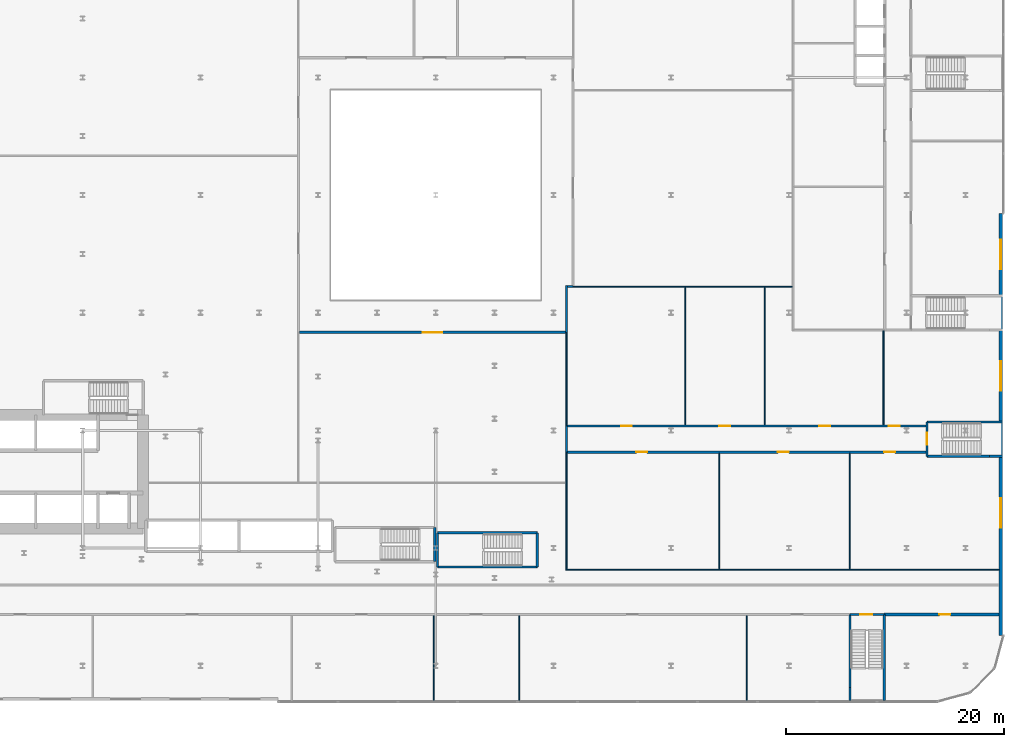
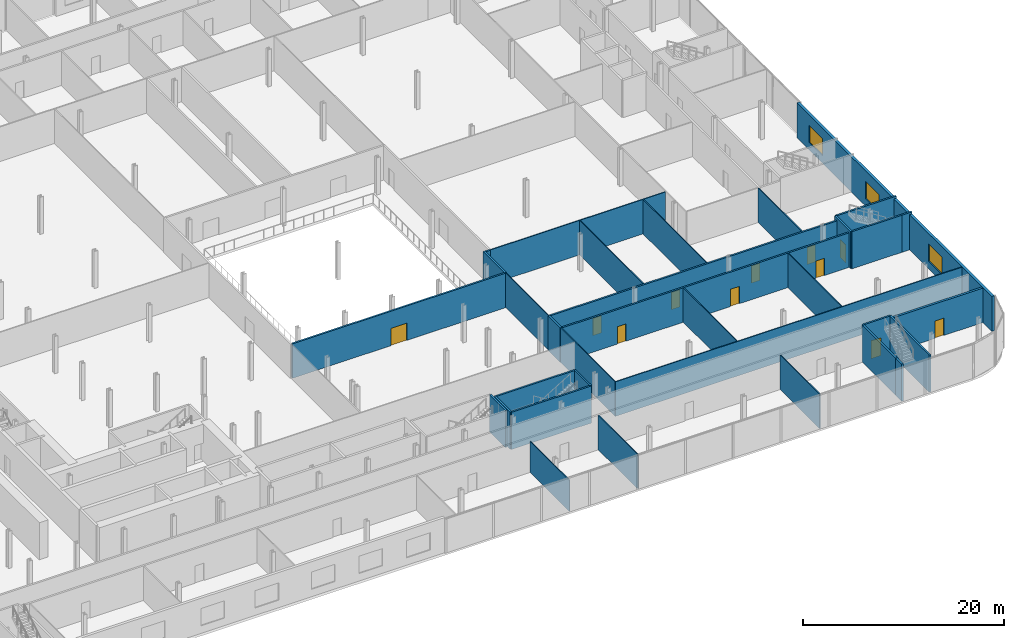
# One storey, part 32 of 47: 33 walls, 11 doors, 3 windows, 14 openings.
"""IFC4 building model written with IfcOpenShell, lengths in metres."""

import ifcopenshell
import ifcopenshell.guid

model = None  # the IFC model being written
_history = None  # IfcOwnerHistory: only IFC2X3 demands one
_inside = {}  # id of a spatial element -> (the spatial element, [elements in it])
_under = {}  # id of a project, library or spatial element -> (it, [spatial elements below it])
_declared = {}  # id of a project -> (the project, [libraries it declares])
_typed = {}  # id of a type object -> (the type object, [elements of that type])
_made_of = {}  # id of a material, layer set ... -> (it, [elements and type objects made of it])


def new_model(schema):
    """Start an empty IFC model of exactly this schema.

    Asked for "IFC4X3", IfcOpenShell would pick the latest addendum, in which some entities
    have other attributes; the version numbers below select the first issue.
    IFC2X3 requires an IfcOwnerHistory on every rooted entity: one is made here for all.
    """
    global model, _history
    if schema == "IFC4X3":
        model = ifcopenshell.file(schema_version=(4, 3, 0, 0))
    else:
        model = ifcopenshell.file(schema=schema)
    _inside.clear()
    _under.clear()
    _declared.clear()
    _typed.clear()
    _made_of.clear()
    _history = None
    if model.schema == "IFC2X3":
        org = make("IfcOrganization", Name="unknown")
        user = make(
            "IfcPersonAndOrganization",
            ThePerson=make("IfcPerson", FamilyName="unknown"),
            TheOrganization=org,
        )
        app = make(
            "IfcApplication",
            ApplicationDeveloper=org,
            Version="unknown",
            ApplicationFullName="unknown",
            ApplicationIdentifier="unknown",
        )
        _history = make(
            "IfcOwnerHistory",
            OwningUser=user,
            OwningApplication=app,
            ChangeAction="ADDED",
            CreationDate=0,
        )
    return model


def make(cls, **values):
    """One entity of the class cls with the attributes given. An attribute that is None is left unset."""
    return model.create_entity(
        cls, **{name: value for name, value in values.items() if value is not None}
    )


def rooted(cls, **values):
    """An entity with a GlobalId (a new one), such as an element, a storey or a relation."""
    return make(cls, GlobalId=ifcopenshell.guid.new(), OwnerHistory=_history, **values)


def si_unit(unit_type, name, prefix=None):
    """IfcSIUnit, for example si_unit("LENGTHUNIT", "METRE", prefix="MILLI")."""
    return make("IfcSIUnit", UnitType=unit_type, Prefix=prefix, Name=name)


def assignment(units):
    """IfcUnitAssignment: the units of a project."""
    return None if units is None else make("IfcUnitAssignment", Units=units)


def point(xyz):
    """IfcCartesianPoint."""
    return None if xyz is None else make("IfcCartesianPoint", Coordinates=xyz)


def direction(xyz):
    """IfcDirection."""
    return None if xyz is None else make("IfcDirection", DirectionRatios=xyz)


def frame(location, z_axis=None, x_axis=None):
    """IfcAxis2Placement3D, a coordinate frame: its origin and axes. An axis left out is left unset."""
    return make(
        "IfcAxis2Placement3D",
        Location=point(location),
        Axis=direction(z_axis),
        RefDirection=direction(x_axis),
    )


def frame_2d(location, x_axis=None):
    """IfcAxis2Placement2D, a coordinate frame in the plane: its origin and x axis."""
    return make(
        "IfcAxis2Placement2D", Location=point(location), RefDirection=direction(x_axis)
    )


def origin():
    """The frame at (0, 0, 0) with its axes left unset."""
    return frame((0.0, 0.0, 0.0))


def place(relative_to, where):
    """IfcLocalPlacement: puts the frame where relative to a parent placement (None: the world)."""
    return make(
        "IfcLocalPlacement", PlacementRelTo=relative_to, RelativePlacement=where
    )


def context(
    kind, dimensions, precision=None, world=None, true_north=None, identifier=None
):
    """IfcGeometricRepresentationContext, for example the 3D "Model" context."""
    return make(
        "IfcGeometricRepresentationContext",
        ContextIdentifier=identifier,
        ContextType=kind,
        CoordinateSpaceDimension=dimensions,
        Precision=precision,
        WorldCoordinateSystem=world,
        TrueNorth=true_north,
    )


def subcontext(parent, identifier, kind, view, scale=None):
    """IfcGeometricRepresentationSubContext, for example "Body" below "Model"."""
    return make(
        "IfcGeometricRepresentationSubContext",
        ContextIdentifier=identifier,
        ContextType=kind,
        ParentContext=parent,
        TargetScale=scale,
        TargetView=view,
    )


def project(units=None, contexts=None):
    """IfcProject with its units and contexts."""
    return rooted(
        "IfcProject",
        Name="project",
        RepresentationContexts=contexts,
        UnitsInContext=assignment(units),
    )


def spatial(cls, under=None, at=None, **own):
    """A site, building, storey or space (cls), placed at a placement, below another one or the project."""
    s = rooted(cls, ObjectPlacement=at, **own)
    if under is not None:
        _under.setdefault(under.id(), (under, []))[1].append(s)
    return s


def profile(cls, at=None, kind="AREA", **sizes):
    """A parametric profile (cls). Its sizes go by their IFC names, for example OverallWidth=200.0."""
    return make(cls, ProfileType=kind, Position=at, **sizes)


def rectangle(**sizes):
    """IfcRectangleProfileDef."""
    return profile("IfcRectangleProfileDef", **sizes)


def extrude(swept, where, along, depth):
    """IfcExtrudedAreaSolid: the profile swept, set in the frame where, extruded along a direction by depth."""
    return make(
        "IfcExtrudedAreaSolid",
        SweptArea=swept,
        Position=where,
        ExtrudedDirection=direction(along),
        Depth=depth,
    )


def shape(context_of_items, identifier, shape_type, items):
    """IfcShapeRepresentation: the items that make up one representation, for example the "Body"."""
    return make(
        "IfcShapeRepresentation",
        ContextOfItems=context_of_items,
        RepresentationIdentifier=identifier,
        RepresentationType=shape_type,
        Items=items,
    )


def source(mapping_origin, context_of_items, identifier, shape_type, items):
    """IfcRepresentationMap: a shape defined once, which mapped items show again and again."""
    return make(
        "IfcRepresentationMap",
        MappingOrigin=mapping_origin,
        MappedRepresentation=shape(context_of_items, identifier, shape_type, items),
    )


def transform(
    local_origin,
    x_axis=None,
    y_axis=None,
    z_axis=None,
    scale=None,
    scale2=None,
    scale3=None,
    uniform=True,
):
    """IfcCartesianTransformationOperator3D, or its non-uniform kind. x_axis, y_axis, z_axis: its Axis1, 2, 3."""
    if uniform:
        return make(
            "IfcCartesianTransformationOperator3D",
            Axis1=direction(x_axis),
            Axis2=direction(y_axis),
            LocalOrigin=point(local_origin),
            Scale=scale,
            Axis3=direction(z_axis),
        )
    return make(
        "IfcCartesianTransformationOperator3DnonUniform",
        Axis1=direction(x_axis),
        Axis2=direction(y_axis),
        LocalOrigin=point(local_origin),
        Scale=scale,
        Axis3=direction(z_axis),
        Scale2=scale2,
        Scale3=scale3,
    )


def mapped(mapping_source, mapping_target):
    """IfcMappedItem: shows the shape of a source again, moved by a transform."""
    return make(
        "IfcMappedItem", MappingSource=mapping_source, MappingTarget=mapping_target
    )


def material(Name=None, Category=None):
    """IfcMaterial."""
    return make("IfcMaterial", Name=Name, Category=Category)


def layer(
    of_material, thickness, ventilated=None, Name=None, Category=None, Priority=None
):
    """IfcMaterialLayer: one layer of a wall or slab, of a material (None: an air gap)."""
    return make(
        "IfcMaterialLayer",
        Material=of_material,
        LayerThickness=thickness,
        IsVentilated=ventilated,
        Name=Name,
        Category=Category,
        Priority=Priority,
    )


def layer_set(layers, Name=None):
    """IfcMaterialLayerSet."""
    return make("IfcMaterialLayerSet", MaterialLayers=layers, LayerSetName=Name)


def made_of(thing, what):
    """Note that an element or type object is made of a material, layer set ...; save() writes the relation."""
    if what is not None:
        _made_of.setdefault(what.id(), (what, []))[1].append(thing)
    return thing


def type_object(cls, material=None, **own):
    """A type object (cls), such as IfcWallType, which elements share."""
    return made_of(rooted(cls, **own), material)


def element(
    cls,
    number,
    at=None,
    inside=None,
    cuts=None,
    type_object=None,
    material=None,
    context=None,
    identifier="Body",
    shape_type=None,
    held_by="IfcProductDefinitionShape",
    body=None,
    shapes=None,
    **own,
):
    """One element of the class cls, such as IfcWall. Its Tag is "e" and its number.

    at: its placement. inside: the storey or other place that contains it. cuts: it is an
    opening in that element (IfcRelVoidsElement). A single representation is given by context,
    identifier, shape_type and body (its items); several are given by shapes. held_by: the class
    of the entity that holds the representations. save() writes the other relations.
    """
    e = rooted(cls, Tag="e%d" % number, ObjectPlacement=at, **own)
    if body is not None:
        shapes = [shape(context, identifier, shape_type, body)]
    if shapes is not None:
        e.Representation = make(held_by, Representations=shapes)
    if inside is not None:
        _inside.setdefault(inside.id(), (inside, []))[1].append(e)
    if cuts is not None:
        rooted(
            "IfcRelVoidsElement", RelatingBuildingElement=cuts, RelatedOpeningElement=e
        )
    if type_object is not None:
        _typed.setdefault(type_object.id(), (type_object, []))[1].append(e)
    return made_of(e, material)


def fill(opening, filler):
    """IfcRelFillsElement: the door or window that sits in an opening."""
    return rooted(
        "IfcRelFillsElement",
        RelatingOpeningElement=opening,
        RelatedBuildingElement=filler,
    )


def aggregate(whole, parts):
    """IfcRelAggregates: a whole, such as a stair, and the parts it consists of."""
    return rooted("IfcRelAggregates", RelatingObject=whole, RelatedObjects=parts)


def save(model, path):
    """Write the relations noted so far, then the file.

    IfcRelAggregates (storeys below a building ...), IfcRelContainedInSpatialStructure (elements
    in a storey), IfcRelDefinesByType, IfcRelAssociatesMaterial and IfcRelDeclares: one each for
    every whole, place, type object, material and project.
    """
    for whole, parts in _under.values():
        aggregate(whole, parts)
    for where, things in _inside.values():
        rooted(
            "IfcRelContainedInSpatialStructure",
            RelatedElements=things,
            RelatingStructure=where,
        )
    for kind, things in _typed.values():
        rooted("IfcRelDefinesByType", RelatedObjects=things, RelatingType=kind)
    for what, things in _made_of.values():
        rooted("IfcRelAssociatesMaterial", RelatedObjects=things, RelatingMaterial=what)
    for by, libraries in _declared.values():
        rooted("IfcRelDeclares", RelatingContext=by, RelatedDefinitions=libraries)
    model.write(path)


model = new_model("IFC4")

# Units and contexts
model_context = context("Model", 3, precision=1e-05, world=origin(), true_north=direction((0.0, 1.0)))
body_context = subcontext(model_context, "Body", "Model", "MODEL_VIEW")
ifc_project = project(units=[si_unit("LENGTHUNIT", "METRE"), si_unit("AREAUNIT", "SQUARE_METRE"), si_unit("VOLUMEUNIT", "CUBIC_METRE"), si_unit("PLANEANGLEUNIT", "RADIAN"), si_unit("MASSUNIT", "GRAM", prefix="KILO")], contexts=[model_context])

# Site, building, storey
site_placement = place(None, origin())
site = spatial("IfcSite", under=ifc_project, at=site_placement, CompositionType="ELEMENT")
building_placement = place(site_placement, origin())
building = spatial("IfcBuilding", under=site, at=building_placement, Name="Kheshtan School and Residences Tower", CompositionType="ELEMENT")
storey_placement = place(building_placement, frame((0.0, 0.0, 12.5)))
storey = spatial("IfcBuildingStorey", under=building, at=storey_placement, Name="L02", CompositionType="ELEMENT", Elevation=12.5)

# Wall, opening, door
ifc_material_1 = material(Name="Gypsum board on steel studs with fire boards", Category="steel")
ifc_layer_1 = layer(ifc_material_1, 0.199951171875)
ifc_layer_set_1 = layer_set([ifc_layer_1], Name="Corridor wall 200")
wall_type_1 = type_object("IfcWallType", Name="Corridor wall 200", PredefinedType="PARTITIONING", material=ifc_layer_set_1)
wall_1_placement = place(storey_placement, frame((67.5, 43.800048828125, 0.0), z_axis=(0.0, 0.0, 1.0), x_axis=(1.0, 0.0, 0.0)))
wall_1 = element("IfcWall", 1, at=wall_1_placement, inside=storey, type_object=wall_type_1, Name="Partition L02-032", PredefinedType="PARTITIONING", context=body_context, shape_type="SweptSolid", body=[
    extrude(rectangle(XDim=24.39990234375, YDim=0.199951171875, at=frame_2d((12.199951171875, 0.0))), origin(), (0.0, 0.0, 1.0), 4.179931640625),
])
opening_1_placement = place(wall_1_placement, frame((11.300048828125, 0.0, 0.0)))
opening_1 = element("IfcOpeningElement", 2, at=opening_1_placement, cuts=wall_1, Name="Opening D02-044", PredefinedType="OPENING", context=body_context, shape_type="SweptSolid", body=[
    extrude(rectangle(XDim=1.800048828125, YDim=2.10009765625, at=frame_2d((0.89990234375, 1.050048828125))), frame((0.0, 0.10986328125, 0.0), z_axis=(0.0, -1.0, 0.0), x_axis=(1.0, 0.0, 0.0)), (0.0, 0.0, 1.0), 0.219970703125),
])
ifc_material_2 = material(Name="Steel-framed fire-resisting door leaf", Category="steel")
door_type_1 = type_object("IfcDoorType", Name="Fire double door FD60 1800 x 2100", OperationType="DOUBLE_DOOR_SINGLE_SWING", PredefinedType="DOOR", material=ifc_material_2)
shared_shape_1 = source(origin(), body_context, "Body", "SweptSolid", [
    extrude(rectangle(XDim=1.800048828125, YDim=2.10009765625, at=frame_2d((0.89990234375, 1.050048828125))), frame((0.0, 0.02490234375, 0.0), z_axis=(0.0, -1.0, 0.0), x_axis=(1.0, 0.0, 0.0)), (0.0, 0.0, 1.0), 0.050048828125),
])
door_1_placement = place(opening_1_placement, origin())
door_1 = element("IfcDoor", 3, at=door_1_placement, inside=storey, type_object=door_type_1, Name="Door D02-044", OperationType="DOUBLE_DOOR_SINGLE_SWING", OverallHeight=2.10009765625, OverallWidth=1.800048828125, PredefinedType="DOOR", context=body_context, shape_type="MappedRepresentation", body=[
    mapped(shared_shape_1, transform((0.0, 0.0, 0.0), x_axis=(1.0, 0.0, 0.0), y_axis=(0.0, 1.0, 0.0), z_axis=(0.0, 0.0, 1.0), scale=1.0)),
])
fill(opening_1, door_1)

# Walls
wall_2_placement = place(storey_placement, frame((92.0, 32.800048828125, 0.0), z_axis=(0.0, 0.0, 1.0), x_axis=(0.0, 1.0, 0.0)))
element("IfcWall", 4, at=wall_2_placement, inside=storey, type_object=wall_type_1, Name="Partition L02-047", PredefinedType="PARTITIONING", context=body_context, shape_type="SweptSolid", body=[
    extrude(rectangle(XDim=2.39990234375, YDim=0.199951171875, at=frame_2d((1.199951171875, 0.0))), origin(), (0.0, 0.0, 1.0), 4.179931640625),
])
wall_3_placement = place(storey_placement, frame((92.0, 43.800048828125, 0.0), z_axis=(0.0, 0.0, 1.0), x_axis=(0.0, 1.0, 0.0)))
element("IfcWall", 5, at=wall_3_placement, inside=storey, type_object=wall_type_1, Name="Partition L02-049", PredefinedType="PARTITIONING", context=body_context, shape_type="SweptSolid", body=[
    extrude(rectangle(XDim=4.300048828125, YDim=0.199951171875, at=frame_2d((2.14990234375, 0.0))), origin(), (0.0, 0.0, 1.0), 4.179931640625),
])

# Wall, openings, doors
wall_4_placement = place(storey_placement, frame((92.10009765625, 32.800048828125, 0.0), z_axis=(0.0, 0.0, 1.0), x_axis=(1.0, 0.0, 0.0)))
wall_4 = element("IfcWall", 6, at=wall_4_placement, inside=storey, type_object=wall_type_1, Name="Partition L02-050", PredefinedType="PARTITIONING", context=body_context, shape_type="SweptSolid", body=[
    extrude(rectangle(XDim=32.880859375, YDim=0.199951171875, at=frame_2d((16.4404296875, 0.0))), origin(), (0.0, 0.0, 1.0), 4.179931640625),
])
opening_2_placement = place(wall_4_placement, frame((6.300048828125, 0.0, 0.0)))
opening_2 = element("IfcOpeningElement", 7, at=opening_2_placement, cuts=wall_4, Name="Opening D02-045", PredefinedType="OPENING", context=body_context, shape_type="SweptSolid", body=[
    extrude(rectangle(XDim=1.0, YDim=2.10009765625, at=frame_2d((0.5, 1.050048828125))), frame((0.0, 0.10986328125, 0.0), z_axis=(0.0, -1.0, 0.0), x_axis=(1.0, 0.0, 0.0)), (0.0, 0.0, 1.0), 0.219970703125),
])
opening_3_placement = place(wall_4_placement, frame((19.300048828125, 0.0, 0.0)))
opening_3 = element("IfcOpeningElement", 8, at=opening_3_placement, cuts=wall_4, Name="Opening D02-046", PredefinedType="OPENING", context=body_context, shape_type="SweptSolid", body=[
    extrude(rectangle(XDim=1.0, YDim=2.10009765625, at=frame_2d((0.5, 1.050048828125))), frame((0.0, 0.10986328125, 0.0), z_axis=(0.0, -1.0, 0.0), x_axis=(1.0, 0.0, 0.0)), (0.0, 0.0, 1.0), 0.219970703125),
])
opening_4_placement = place(wall_4_placement, frame((29.050048828125, 0.0, 0.0)))
opening_4 = element("IfcOpeningElement", 9, at=opening_4_placement, cuts=wall_4, Name="Opening D02-047", PredefinedType="OPENING", context=body_context, shape_type="SweptSolid", body=[
    extrude(rectangle(XDim=1.0, YDim=2.10009765625, at=frame_2d((0.5, 1.050048828125))), frame((0.0, 0.10986328125, 0.0), z_axis=(0.0, -1.0, 0.0), x_axis=(1.0, 0.0, 0.0)), (0.0, 0.0, 1.0), 0.219970703125),
])
door_type_2 = type_object("IfcDoorType", Name="Fire door FD60 1000 x 2100", OperationType="SINGLE_SWING_LEFT", PredefinedType="DOOR", material=ifc_material_2)
shared_shape_2 = source(origin(), body_context, "Body", "SweptSolid", [
    extrude(rectangle(XDim=1.0, YDim=2.10009765625, at=frame_2d((0.5, 1.050048828125))), frame((0.0, 0.02490234375, 0.0), z_axis=(0.0, -1.0, 0.0), x_axis=(1.0, 0.0, 0.0)), (0.0, 0.0, 1.0), 0.050048828125),
])
door_2_placement = place(opening_2_placement, origin())
door_2 = element("IfcDoor", 10, at=door_2_placement, inside=storey, type_object=door_type_2, Name="Door D02-045", OperationType="SINGLE_SWING_RIGHT", OverallHeight=2.10009765625, OverallWidth=1.0, PredefinedType="DOOR", context=body_context, shape_type="MappedRepresentation", body=[
    mapped(shared_shape_2, transform((0.0, 0.0, 0.0), x_axis=(1.0, 0.0, 0.0), y_axis=(0.0, 1.0, 0.0), z_axis=(0.0, 0.0, 1.0), scale=1.0)),
])
fill(opening_2, door_2)
door_3_placement = place(opening_3_placement, origin())
door_3 = element("IfcDoor", 11, at=door_3_placement, inside=storey, type_object=door_type_2, Name="Door D02-046", OperationType="SINGLE_SWING_RIGHT", OverallHeight=2.10009765625, OverallWidth=1.0, PredefinedType="DOOR", context=body_context, shape_type="MappedRepresentation", body=[
    mapped(shared_shape_2, transform((0.0, 0.0, 0.0), x_axis=(1.0, 0.0, 0.0), y_axis=(0.0, 1.0, 0.0), z_axis=(0.0, 0.0, 1.0), scale=1.0)),
])
fill(opening_3, door_3)
door_4_placement = place(opening_4_placement, origin())
door_4 = element("IfcDoor", 12, at=door_4_placement, inside=storey, type_object=door_type_2, Name="Door D02-047", OperationType="SINGLE_SWING_LEFT", OverallHeight=2.10009765625, OverallWidth=1.0, PredefinedType="DOOR", context=body_context, shape_type="MappedRepresentation", body=[
    mapped(shared_shape_2, transform((0.0, 0.0, 0.0), x_axis=(1.0, 0.0, 0.0), y_axis=(0.0, 1.0, 0.0), z_axis=(0.0, 0.0, 1.0), scale=1.0)),
])
fill(opening_4, door_4)

wall_5_placement = place(storey_placement, frame((92.10009765625, 35.199951171875, 0.0), z_axis=(0.0, 0.0, 1.0), x_axis=(1.0, 0.0, 0.0)))
wall_5 = element("IfcWall", 13, at=wall_5_placement, inside=storey, type_object=wall_type_1, Name="Partition L02-051", PredefinedType="PARTITIONING", context=body_context, shape_type="SweptSolid", body=[
    extrude(rectangle(XDim=32.8798828125, YDim=0.199951171875, at=frame_2d((16.43994140625, 0.0))), origin(), (0.0, 0.0, 1.0), 4.179931640625),
])
opening_5_placement = place(wall_5_placement, frame((4.908935546875, 0.0, 0.0)))
opening_5 = element("IfcOpeningElement", 14, at=opening_5_placement, cuts=wall_5, Name="Opening D02-048", PredefinedType="OPENING", context=body_context, shape_type="SweptSolid", body=[
    extrude(rectangle(XDim=1.0, YDim=2.10009765625, at=frame_2d((0.5, 1.050048828125))), frame((0.0, 0.10986328125, 0.0), z_axis=(0.0, -1.0, 0.0), x_axis=(1.0, 0.0, 0.0)), (0.0, 0.0, 1.0), 0.219970703125),
])
opening_6_placement = place(wall_5_placement, frame((13.931884765625, 0.0, 0.0)))
opening_6 = element("IfcOpeningElement", 15, at=opening_6_placement, cuts=wall_5, Name="Opening D02-049", PredefinedType="OPENING", context=body_context, shape_type="SweptSolid", body=[
    extrude(rectangle(XDim=1.0, YDim=2.10009765625, at=frame_2d((0.5, 1.050048828125))), frame((0.0, 0.10986328125, 0.0), z_axis=(0.0, -1.0, 0.0), x_axis=(1.0, 0.0, 0.0)), (0.0, 0.0, 1.0), 0.219970703125),
])
opening_7_placement = place(wall_5_placement, frame((23.091064453125, 0.0, 0.0)))
opening_7 = element("IfcOpeningElement", 16, at=opening_7_placement, cuts=wall_5, Name="Opening D02-050", PredefinedType="OPENING", context=body_context, shape_type="SweptSolid", body=[
    extrude(rectangle(XDim=1.0, YDim=2.10009765625, at=frame_2d((0.5, 1.050048828125))), frame((0.0, 0.10986328125, 0.0), z_axis=(0.0, -1.0, 0.0), x_axis=(1.0, 0.0, 0.0)), (0.0, 0.0, 1.0), 0.219970703125),
])
opening_8_placement = place(wall_5_placement, frame((29.47705078125, 0.0, 0.0)))
opening_8 = element("IfcOpeningElement", 17, at=opening_8_placement, cuts=wall_5, Name="Opening D02-051", PredefinedType="OPENING", context=body_context, shape_type="SweptSolid", body=[
    extrude(rectangle(XDim=1.0, YDim=2.10009765625, at=frame_2d((0.5, 1.050048828125))), frame((0.0, 0.10986328125, 0.0), z_axis=(0.0, -1.0, 0.0), x_axis=(1.0, 0.0, 0.0)), (0.0, 0.0, 1.0), 0.219970703125),
])
door_5_placement = place(opening_5_placement, origin())
door_5 = element("IfcDoor", 18, at=door_5_placement, inside=storey, type_object=door_type_2, Name="Door D02-048", OperationType="SINGLE_SWING_LEFT", OverallHeight=2.10009765625, OverallWidth=1.0, PredefinedType="DOOR", context=body_context, shape_type="MappedRepresentation", body=[
    mapped(shared_shape_2, transform((0.0, 0.0, 0.0), x_axis=(1.0, 0.0, 0.0), y_axis=(0.0, 1.0, 0.0), z_axis=(0.0, 0.0, 1.0), scale=1.0)),
])
fill(opening_5, door_5)
door_6_placement = place(opening_6_placement, origin())
door_6 = element("IfcDoor", 19, at=door_6_placement, inside=storey, type_object=door_type_2, Name="Door D02-049", OperationType="SINGLE_SWING_LEFT", OverallHeight=2.10009765625, OverallWidth=1.0, PredefinedType="DOOR", context=body_context, shape_type="MappedRepresentation", body=[
    mapped(shared_shape_2, transform((0.0, 0.0, 0.0), x_axis=(1.0, 0.0, 0.0), y_axis=(0.0, 1.0, 0.0), z_axis=(0.0, 0.0, 1.0), scale=1.0)),
])
fill(opening_6, door_6)
door_7_placement = place(opening_7_placement, origin())
door_7 = element("IfcDoor", 20, at=door_7_placement, inside=storey, type_object=door_type_2, Name="Door D02-050", OperationType="SINGLE_SWING_LEFT", OverallHeight=2.10009765625, OverallWidth=1.0, PredefinedType="DOOR", context=body_context, shape_type="MappedRepresentation", body=[
    mapped(shared_shape_2, transform((0.0, 0.0, 0.0), x_axis=(1.0, 0.0, 0.0), y_axis=(0.0, 1.0, 0.0), z_axis=(0.0, 0.0, 1.0), scale=1.0)),
])
fill(opening_7, door_7)
door_8_placement = place(opening_8_placement, origin())
door_8 = element("IfcDoor", 21, at=door_8_placement, inside=storey, type_object=door_type_2, Name="Door D02-051", OperationType="SINGLE_SWING_LEFT", OverallHeight=2.10009765625, OverallWidth=1.0, PredefinedType="DOOR", context=body_context, shape_type="MappedRepresentation", body=[
    mapped(shared_shape_2, transform((0.0, 0.0, 0.0), x_axis=(1.0, 0.0, 0.0), y_axis=(0.0, 1.0, 0.0), z_axis=(0.0, 0.0, 1.0), scale=1.0)),
])
fill(opening_8, door_8)

# Walls
wall_6_placement = place(storey_placement, frame((92.10009765625, 48.0, 0.0), z_axis=(0.0, 0.0, 1.0), x_axis=(1.0, 0.0, 0.0)))
element("IfcWall", 22, at=wall_6_placement, inside=storey, type_object=wall_type_1, Name="Partition L02-052", PredefinedType="PARTITIONING", context=body_context, shape_type="SweptSolid", body=[
    extrude(rectangle(XDim=0.5, YDim=0.199951171875, at=frame_2d((0.25, 0.0))), origin(), (0.0, 0.0, 1.0), 4.179931640625),
])
ifc_material_3 = material(Name="Gypsum board on steel studs", Category="steel")
ifc_layer_2 = layer(ifc_material_3, 0.10009765625)
ifc_layer_set_2 = layer_set([ifc_layer_2], Name="Gypsum partition 100")
wall_type_2 = type_object("IfcWallType", Name="Gypsum partition 100", PredefinedType="PARTITIONING", material=ifc_layer_set_2)
wall_7_placement = place(storey_placement, frame((79.825927734375, 10.0, 0.0), z_axis=(0.0, 0.0, 1.0), x_axis=(0.0, 1.0, 0.0)))
element("IfcWall", 23, at=wall_7_placement, inside=storey, type_object=wall_type_2, Name="Partition L02-038", PredefinedType="PARTITIONING", context=body_context, shape_type="SweptSolid", body=[
    extrude(rectangle(XDim=7.800048828125, YDim=0.10009765625, at=frame_2d((3.89990234375, 0.0))), origin(), (0.0, 0.0, 1.0), 3.762939453125),
])
wall_8_placement = place(storey_placement, frame((87.652099609375, 10.0, 0.0), z_axis=(0.0, 0.0, 1.0), x_axis=(0.0, 1.0, 0.0)))
element("IfcWall", 24, at=wall_8_placement, inside=storey, type_object=wall_type_2, Name="Partition L02-044", PredefinedType="PARTITIONING", context=body_context, shape_type="SweptSolid", body=[
    extrude(rectangle(XDim=7.800048828125, YDim=0.10009765625, at=frame_2d((3.89990234375, 0.0))), origin(), (0.0, 0.0, 1.0), 4.179931640625),
])
wall_9_placement = place(storey_placement, frame((91.949951171875, 22.0, 0.0), z_axis=(0.0, 0.0, 1.0), x_axis=(1.0, 0.0, 0.0)))
element("IfcWall", 25, at=wall_9_placement, inside=storey, type_object=wall_type_2, Name="Partition L02-045", PredefinedType="PARTITIONING", context=body_context, shape_type="SweptSolid", body=[
    extrude(rectangle(XDim=39.7509765625, YDim=0.10009765625, at=frame_2d((19.87548828125, 0.0))), origin(), (0.0, 0.0, 1.0), 4.179931640625),
])
wall_10_placement = place(storey_placement, frame((92.0, 22.050048828125, 0.0), z_axis=(0.0, 0.0, 1.0), x_axis=(0.0, 1.0, 0.0)))
element("IfcWall", 26, at=wall_10_placement, inside=storey, type_object=wall_type_2, Name="Partition L02-046", PredefinedType="PARTITIONING", context=body_context, shape_type="SweptSolid", body=[
    extrude(rectangle(XDim=10.75, YDim=0.10009765625, at=frame_2d((5.375, 0.0))), origin(), (0.0, 0.0, 1.0), 4.179931640625),
])
wall_11_placement = place(storey_placement, frame((92.0, 35.199951171875, 0.0), z_axis=(0.0, 0.0, 1.0), x_axis=(0.0, 1.0, 0.0)))
element("IfcWall", 27, at=wall_11_placement, inside=storey, type_object=wall_type_2, Name="Partition L02-048", PredefinedType="PARTITIONING", context=body_context, shape_type="SweptSolid", body=[
    extrude(rectangle(XDim=8.60009765625, YDim=0.10009765625, at=frame_2d((4.300048828125, 0.0))), origin(), (0.0, 0.0, 1.0), 4.179931640625),
])
wall_12_placement = place(storey_placement, frame((92.60009765625, 48.0, 0.0), z_axis=(0.0, 0.0, 1.0), x_axis=(1.0, 0.0, 0.0)))
element("IfcWall", 28, at=wall_12_placement, inside=storey, type_object=wall_type_2, Name="Partition L02-053", PredefinedType="PARTITIONING", context=body_context, shape_type="SweptSolid", body=[
    extrude(rectangle(XDim=20.137939453125, YDim=0.10009765625, at=frame_2d((10.06884765625, 0.0))), origin(), (0.0, 0.0, 1.0), 4.179931640625),
])
wall_13_placement = place(storey_placement, frame((102.908935546875, 35.300048828125, 0.0), z_axis=(0.0, 0.0, 1.0), x_axis=(0.0, 1.0, 0.0)))
element("IfcWall", 29, at=wall_13_placement, inside=storey, type_object=wall_type_2, Name="Partition L02-061", PredefinedType="PARTITIONING", context=body_context, shape_type="SweptSolid", body=[
    extrude(rectangle(XDim=12.64990234375, YDim=0.10009765625, at=frame_2d((6.324951171875, 0.0))), origin(), (0.0, 0.0, 1.0), 4.179931640625),
])
wall_14_placement = place(storey_placement, frame((106.0, 22.050048828125, 0.0), z_axis=(0.0, 0.0, 1.0), x_axis=(0.0, 1.0, 0.0)))
element("IfcWall", 30, at=wall_14_placement, inside=storey, type_object=wall_type_2, Name="Partition L02-062", PredefinedType="PARTITIONING", context=body_context, shape_type="SweptSolid", body=[
    extrude(rectangle(XDim=10.64990234375, YDim=0.10009765625, at=frame_2d((5.324951171875, 0.0))), origin(), (0.0, 0.0, 1.0), 4.179931640625),
])
wall_15_placement = place(storey_placement, frame((108.52197265625, 10.0, 0.0), z_axis=(0.0, 0.0, 1.0), x_axis=(0.0, 1.0, 0.0)))
element("IfcWall", 31, at=wall_15_placement, inside=storey, type_object=wall_type_2, Name="Partition L02-064", PredefinedType="PARTITIONING", context=body_context, shape_type="SweptSolid", body=[
    extrude(rectangle(XDim=7.800048828125, YDim=0.10009765625, at=frame_2d((3.89990234375, 0.0))), origin(), (0.0, 0.0, 1.0), 4.179931640625),
])
wall_16_placement = place(storey_placement, frame((110.181884765625, 35.300048828125, 0.0), z_axis=(0.0, 0.0, 1.0), x_axis=(0.0, 1.0, 0.0)))
element("IfcWall", 32, at=wall_16_placement, inside=storey, type_object=wall_type_2, Name="Partition L02-065", PredefinedType="PARTITIONING", context=body_context, shape_type="SweptSolid", body=[
    extrude(rectangle(XDim=12.64990234375, YDim=0.10009765625, at=frame_2d((6.324951171875, 0.0))), origin(), (0.0, 0.0, 1.0), 4.179931640625),
])
wall_17_placement = place(storey_placement, frame((118.0, 22.050048828125, 0.0), z_axis=(0.0, 0.0, 1.0), x_axis=(0.0, 1.0, 0.0)))
element("IfcWall", 33, at=wall_17_placement, inside=storey, type_object=wall_type_2, Name="Partition L02-074", PredefinedType="PARTITIONING", context=body_context, shape_type="SweptSolid", body=[
    extrude(rectangle(XDim=10.64990234375, YDim=0.10009765625, at=frame_2d((5.324951171875, 0.0))), origin(), (0.0, 0.0, 1.0), 4.179931640625),
])
wall_18_placement = place(storey_placement, frame((121.091064453125, 35.300048828125, 0.0), z_axis=(0.0, 0.0, 1.0), x_axis=(0.0, 1.0, 0.0)))
element("IfcWall", 34, at=wall_18_placement, inside=storey, type_object=wall_type_2, Name="Partition L02-079", PredefinedType="PARTITIONING", context=body_context, shape_type="SweptSolid", body=[
    extrude(rectangle(XDim=8.637939453125, YDim=0.10009765625, at=frame_2d((4.31884765625, 0.0))), origin(), (0.0, 0.0, 1.0), 4.179931640625),
])

# Wall, opening, door
ifc_material_4 = material(Name="Fire-board and steel stud wall with mineral wool", Category="steel")
ifc_layer_3 = layer(ifc_material_4, 0.25)
ifc_layer_set_3 = layer_set([ifc_layer_3], Name="Plant room wall 250")
wall_type_3 = type_object("IfcWallType", Name="Plant room wall 250", PredefinedType="PARTITIONING", material=ifc_layer_set_3)
wall_19_placement = place(storey_placement, frame((121.14990234375, 17.89990234375, 0.0), z_axis=(0.0, 0.0, 1.0), x_axis=(1.0, 0.0, 0.0)))
wall_19 = element("IfcWall", 35, at=wall_19_placement, inside=storey, type_object=wall_type_3, Name="Partition L02-080", PredefinedType="PARTITIONING", context=body_context, shape_type="SweptSolid", body=[
    extrude(rectangle(XDim=10.551025390625, YDim=0.25, at=frame_2d((5.275390625, 0.0))), origin(), (0.0, 0.0, 1.0), 4.179931640625),
])
opening_9_placement = place(wall_19_placement, frame((5.06494140625, 0.0, 0.0)))
opening_9 = element("IfcOpeningElement", 36, at=opening_9_placement, cuts=wall_19, Name="Opening D02-043", PredefinedType="OPENING", context=body_context, shape_type="SweptSolid", body=[
    extrude(rectangle(XDim=1.0, YDim=2.10009765625, at=frame_2d((0.5, 1.050048828125))), frame((0.0, 0.135009765625, 0.0), z_axis=(0.0, -1.0, 0.0), x_axis=(1.0, 0.0, 0.0)), (0.0, 0.0, 1.0), 0.27001953125),
])
door_type_3 = type_object("IfcDoorType", Name="Fire door FD120 1000 x 2100", OperationType="SINGLE_SWING_LEFT", PredefinedType="DOOR", material=ifc_material_2)
shared_shape_3 = source(origin(), body_context, "Body", "SweptSolid", [
    extrude(rectangle(XDim=1.0, YDim=2.10009765625, at=frame_2d((0.5, 1.050048828125))), frame((0.0, 0.02490234375, 0.0), z_axis=(0.0, -1.0, 0.0), x_axis=(1.0, 0.0, 0.0)), (0.0, 0.0, 1.0), 0.050048828125),
])
door_9_placement = place(opening_9_placement, origin())
door_9 = element("IfcDoor", 37, at=door_9_placement, inside=storey, type_object=door_type_3, Name="Door D02-043", OperationType="SINGLE_SWING_RIGHT", OverallHeight=2.10009765625, OverallWidth=1.0, PredefinedType="DOOR", context=body_context, shape_type="MappedRepresentation", body=[
    mapped(shared_shape_3, transform((0.0, 0.0, 0.0), x_axis=(1.0, 0.0, 0.0), y_axis=(0.0, 1.0, 0.0), z_axis=(0.0, 0.0, 1.0), scale=1.0)),
])
fill(opening_9, door_9)

# Wall, openings, windows
ifc_material_5 = material(Name="Concrete C40/50 with ceramic cladding and mineral wool insulation", Category="concrete")
ifc_layer_4 = layer(ifc_material_5, 0.300048828125)
ifc_layer_set_4 = layer_set([ifc_layer_4], Name="Podium external wall 300")
wall_type_4 = type_object("IfcWallType", Name="Podium external wall 300", PredefinedType="SOLIDWALL", material=ifc_layer_set_4)
wall_20_placement = place(storey_placement, frame((131.85009765625, 54.719970703125, 0.0), z_axis=(0.0, 0.0, 1.0), x_axis=(0.0, -1.0, 0.0)))
wall_20 = element("IfcWall", 38, at=wall_20_placement, inside=storey, type_object=wall_type_4, Name="Podium external wall L02 8.1", PredefinedType="SOLIDWALL", context=body_context, shape_type="SweptSolid", body=[
    extrude(rectangle(XDim=38.719970703125, YDim=0.300048828125, at=frame_2d((19.35986328125, 0.0))), origin(), (0.0, 0.0, 1.0), 4.25),
])
opening_10_placement = place(wall_20_placement, frame((2.43505859375, 0.0, 0.89990234375)))
opening_10 = element("IfcOpeningElement", 39, at=opening_10_placement, cuts=wall_20, Name="Opening WN-D", PredefinedType="OPENING", context=body_context, shape_type="SweptSolid", body=[
    extrude(rectangle(XDim=2.699951171875, YDim=2.10009765625, at=frame_2d((1.35009765625, 1.050048828125))), frame((0.0, 0.16015625, 0.0), z_axis=(0.0, -1.0, 0.0), x_axis=(1.0, 0.0, 0.0)), (0.0, 0.0, 1.0), 0.320068359375),
])
opening_11_placement = place(wall_20_placement, frame((13.580078125, 0.0, 0.89990234375)))
opening_11 = element("IfcOpeningElement", 40, at=opening_11_placement, cuts=wall_20, Name="Opening WN-D", PredefinedType="OPENING", context=body_context, shape_type="SweptSolid", body=[
    extrude(rectangle(XDim=2.699951171875, YDim=2.10009765625, at=frame_2d((1.35009765625, 1.050048828125))), frame((0.0, 0.16015625, 0.0), z_axis=(0.0, -1.0, 0.0), x_axis=(1.0, 0.0, 0.0)), (0.0, 0.0, 1.0), 0.320068359375),
])
opening_12_placement = place(wall_20_placement, frame((26.159912109375, 0.0, 0.89990234375)))
opening_12 = element("IfcOpeningElement", 41, at=opening_12_placement, cuts=wall_20, Name="Opening WN-D", PredefinedType="OPENING", context=body_context, shape_type="SweptSolid", body=[
    extrude(rectangle(XDim=2.699951171875, YDim=2.10009765625, at=frame_2d((1.35009765625, 1.050048828125))), frame((0.0, 0.16015625, 0.0), z_axis=(0.0, -1.0, 0.0), x_axis=(1.0, 0.0, 0.0)), (0.0, 0.0, 1.0), 0.320068359375),
])
ifc_material_6 = material(Name="Clear low-e glass in thermally broken aluminium frame", Category="aluminium")
window_type = type_object("IfcWindowType", Name="Window WN-D", PartitioningType="SINGLE_PANEL", PredefinedType="WINDOW", material=ifc_material_6)
shared_shape_4 = source(origin(), body_context, "Body", "SweptSolid", [
    extrude(rectangle(XDim=2.699951171875, YDim=2.10009765625, at=frame_2d((1.35009765625, 1.050048828125))), frame((0.0, 0.030029296875, 0.0), z_axis=(0.0, -1.0, 0.0), x_axis=(1.0, 0.0, 0.0)), (0.0, 0.0, 1.0), 0.06005859375),
])
window_1_placement = place(opening_10_placement, origin())
window_1 = element("IfcWindow", 42, at=window_1_placement, inside=storey, type_object=window_type, Name="Window L02 8.1.1", OverallHeight=2.10009765625, OverallWidth=2.699951171875, PartitioningType="SINGLE_PANEL", PredefinedType="WINDOW", context=body_context, shape_type="MappedRepresentation", body=[
    mapped(shared_shape_4, transform((0.0, 0.0, 0.0), x_axis=(1.0, 0.0, 0.0), y_axis=(0.0, 1.0, 0.0), z_axis=(0.0, 0.0, 1.0), scale=1.0)),
])
fill(opening_10, window_1)
window_2_placement = place(opening_11_placement, origin())
window_2 = element("IfcWindow", 43, at=window_2_placement, inside=storey, type_object=window_type, Name="Window L02 8.1.2", OverallHeight=2.10009765625, OverallWidth=2.699951171875, PartitioningType="SINGLE_PANEL", PredefinedType="WINDOW", context=body_context, shape_type="MappedRepresentation", body=[
    mapped(shared_shape_4, transform((0.0, 0.0, 0.0), x_axis=(1.0, 0.0, 0.0), y_axis=(0.0, 1.0, 0.0), z_axis=(0.0, 0.0, 1.0), scale=1.0)),
])
fill(opening_11, window_2)
window_3_placement = place(opening_12_placement, origin())
window_3 = element("IfcWindow", 44, at=window_3_placement, inside=storey, type_object=window_type, Name="Window L02 8.1.3", OverallHeight=2.10009765625, OverallWidth=2.699951171875, PartitioningType="SINGLE_PANEL", PredefinedType="WINDOW", context=body_context, shape_type="MappedRepresentation", body=[
    mapped(shared_shape_4, transform((0.0, 0.0, 0.0), x_axis=(1.0, 0.0, 0.0), y_axis=(0.0, 1.0, 0.0), z_axis=(0.0, 0.0, 1.0), scale=1.0)),
])
fill(opening_12, window_3)

# Walls
ifc_material_7 = material(Name="Concrete C40/50", Category="concrete")
ifc_layer_5 = layer(ifc_material_7, 0.199951171875)
ifc_layer_set_5 = layer_set([ifc_layer_5], Name="Stair enclosure wall 200 Concrete C40/50")
wall_type_5 = type_object("IfcWallType", Name="Stair enclosure wall 200 Concrete C40/50", PredefinedType="SHEAR", material=ifc_layer_set_5)
for number, where, z_axis, x_axis, name in (
    (45, (80.159912109375, 22.25, 0.0), (0.0, 0.0, 1.0), (1.0, 0.0, 0.0), "Stair enclosure wall ST4"),
    (46, (80.159912109375, 25.39990234375, 0.0), (0.0, 0.0, 1.0), (1.0, 0.0, 0.0), "Stair enclosure wall ST4"),
):
    element("IfcWall", number, at=place(storey_placement, frame(where, z_axis=z_axis, x_axis=x_axis)), inside=storey, type_object=wall_type_5, Name=name, PredefinedType="SHEAR", context=body_context, shape_type="SweptSolid", body=[
        extrude(rectangle(XDim=9.16015625, YDim=0.199951171875, at=frame_2d((4.580078125, 0.0))), origin(), (0.0, 0.0, 1.0), 4.5),
    ])
for number, where, z_axis, x_axis, name in (
    (47, (80.159912109375, 22.25, 0.0), (0.0, 0.0, 1.0), (0.0, 1.0, 0.0), "Stair enclosure wall ST4"),
    (48, (89.320068359375, 22.25, 0.0), (0.0, 0.0, 1.0), (0.0, 1.0, 0.0), "Stair enclosure wall ST4"),
    (49, (79.909912109375, 22.75, 0.0), (0.0, 0.0, 1.0), (0.0, 1.0, 0.0), "Stair enclosure wall ST5"),
):
    element("IfcWall", number, at=place(storey_placement, frame(where, z_axis=z_axis, x_axis=x_axis)), inside=storey, type_object=wall_type_5, Name=name, PredefinedType="SHEAR", context=body_context, shape_type="SweptSolid", body=[
        extrude(rectangle(XDim=3.14990234375, YDim=0.199951171875, at=frame_2d((1.574951171875, 0.0))), origin(), (0.0, 0.0, 1.0), 4.5),
    ])

# Wall, opening, door
wall_21_placement = place(storey_placement, frame((118.0, 17.89990234375, 0.0), z_axis=(0.0, 0.0, 1.0), x_axis=(1.0, 0.0, 0.0)))
wall_21 = element("IfcWall", 50, at=wall_21_placement, inside=storey, type_object=wall_type_5, Name="Stair enclosure wall", PredefinedType="SHEAR", context=body_context, shape_type="SweptSolid", body=[
    extrude(rectangle(XDim=3.14990234375, YDim=0.199951171875, at=frame_2d((1.574951171875, 0.0))), origin(), (0.0, 0.0, 1.0), 4.5),
])
opening_13_placement = place(wall_21_placement, frame((0.949951171875, 0.0, 0.0)))
opening_13 = element("IfcOpeningElement", 51, at=opening_13_placement, cuts=wall_21, Name="Opening SD90", PredefinedType="OPENING", context=body_context, shape_type="SweptSolid", body=[
    extrude(rectangle(XDim=1.10009765625, YDim=2.199951171875, at=frame_2d((0.550048828125, 1.10009765625))), frame((0.0, 0.10986328125, 0.0), z_axis=(0.0, -1.0, 0.0), x_axis=(1.0, 0.0, 0.0)), (0.0, 0.0, 1.0), 0.219970703125),
])
ifc_material_8 = material(Name="Steel door leaf, galvanised", Category="steel")
door_type_4 = type_object("IfcDoorType", Name="Stair door 1100 steel 90 min", OperationType="SINGLE_SWING_LEFT", PredefinedType="DOOR", material=ifc_material_8)
shared_shape_5 = source(origin(), body_context, "Body", "SweptSolid", [
    extrude(rectangle(XDim=1.10009765625, YDim=2.199951171875, at=frame_2d((0.550048828125, 1.10009765625))), frame((0.0, 0.02490234375, 0.0), z_axis=(0.0, -1.0, 0.0), x_axis=(1.0, 0.0, 0.0)), (0.0, 0.0, 1.0), 0.050048828125),
])
door_10_placement = place(opening_13_placement, origin())
door_10 = element("IfcDoor", 52, at=door_10_placement, inside=storey, type_object=door_type_4, Name="Stair door", OperationType="SINGLE_SWING_RIGHT", OverallHeight=2.199951171875, OverallWidth=1.10009765625, PredefinedType="DOOR", context=body_context, shape_type="MappedRepresentation", body=[
    mapped(shared_shape_5, transform((0.0, 0.0, 0.0), x_axis=(1.0, 0.0, 0.0), y_axis=(0.0, 1.0, 0.0), z_axis=(0.0, 0.0, 1.0), scale=1.0)),
])
fill(opening_13, door_10)

# Walls
wall_22_placement = place(storey_placement, frame((118.0, 10.0, 0.0), z_axis=(0.0, 0.0, 1.0), x_axis=(0.0, 1.0, 0.0)))
element("IfcWall", 53, at=wall_22_placement, inside=storey, type_object=wall_type_5, Name="Stair enclosure wall", PredefinedType="SHEAR", context=body_context, shape_type="SweptSolid", body=[
    extrude(rectangle(XDim=1.199951171875, YDim=0.199951171875, at=frame_2d((0.60009765625, 0.0))), origin(), (0.0, 0.0, 1.0), 4.5),
])
wall_23_placement = place(storey_placement, frame((118.0, 11.199951171875, 0.0), z_axis=(0.0, 0.0, 1.0), x_axis=(0.0, 1.0, 0.0)))
element("IfcWall", 54, at=wall_23_placement, inside=storey, type_object=wall_type_5, Name="Stair enclosure wall", PredefinedType="SHEAR", context=body_context, shape_type="SweptSolid", body=[
    extrude(rectangle(XDim=6.699951171875, YDim=0.199951171875, at=frame_2d((3.35009765625, 0.0))), origin(), (0.0, 0.0, 1.0), 4.5),
])
wall_24_placement = place(storey_placement, frame((121.14990234375, 10.0, 0.0), z_axis=(0.0, 0.0, 1.0), x_axis=(0.0, 1.0, 0.0)))
element("IfcWall", 55, at=wall_24_placement, inside=storey, type_object=wall_type_5, Name="Stair enclosure wall", PredefinedType="SHEAR", context=body_context, shape_type="SweptSolid", body=[
    extrude(rectangle(XDim=7.89990234375, YDim=0.199951171875, at=frame_2d((3.949951171875, 0.0))), origin(), (0.0, 0.0, 1.0), 4.5),
])
wall_25_placement = place(storey_placement, frame((125.080078125, 32.425048828125, 0.0), z_axis=(0.0, 0.0, 1.0), x_axis=(1.0, 0.0, 0.0)))
element("IfcWall", 56, at=wall_25_placement, inside=storey, type_object=wall_type_5, Name="Stair enclosure wall", PredefinedType="SHEAR", context=body_context, shape_type="SweptSolid", body=[
    extrude(rectangle(XDim=5.719970703125, YDim=0.199951171875, at=frame_2d((2.85986328125, 0.0))), origin(), (0.0, 0.0, 1.0), 4.5),
])
wall_26_placement = place(storey_placement, frame((130.800048828125, 32.425048828125, 0.0), z_axis=(0.0, 0.0, 1.0), x_axis=(1.0, 0.0, 0.0)))
element("IfcWall", 57, at=wall_26_placement, inside=storey, type_object=wall_type_5, Name="Stair enclosure wall", PredefinedType="SHEAR", context=body_context, shape_type="SweptSolid", body=[
    extrude(rectangle(XDim=1.199951171875, YDim=0.199951171875, at=frame_2d((0.60009765625, 0.0))), origin(), (0.0, 0.0, 1.0), 4.5),
])
wall_27_placement = place(storey_placement, frame((125.080078125, 35.574951171875, 0.0), z_axis=(0.0, 0.0, 1.0), x_axis=(1.0, 0.0, 0.0)))
element("IfcWall", 58, at=wall_27_placement, inside=storey, type_object=wall_type_5, Name="Stair enclosure wall", PredefinedType="SHEAR", context=body_context, shape_type="SweptSolid", body=[
    extrude(rectangle(XDim=6.919921875, YDim=0.199951171875, at=frame_2d((3.4599609375, 0.0))), origin(), (0.0, 0.0, 1.0), 4.5),
])

# Wall, opening, door
wall_28_placement = place(storey_placement, frame((125.080078125, 32.425048828125, 0.0), z_axis=(0.0, 0.0, 1.0), x_axis=(0.0, 1.0, 0.0)))
wall_28 = element("IfcWall", 59, at=wall_28_placement, inside=storey, type_object=wall_type_5, Name="Stair enclosure wall", PredefinedType="SHEAR", context=body_context, shape_type="SweptSolid", body=[
    extrude(rectangle(XDim=3.14990234375, YDim=0.199951171875, at=frame_2d((1.574951171875, 0.0))), origin(), (0.0, 0.0, 1.0), 4.5),
])
opening_14_placement = place(wall_28_placement, frame((1.074951171875, 0.0, 0.0)))
opening_14 = element("IfcOpeningElement", 60, at=opening_14_placement, cuts=wall_28, Name="Opening SD90", PredefinedType="OPENING", context=body_context, shape_type="SweptSolid", body=[
    extrude(rectangle(XDim=1.10009765625, YDim=2.199951171875, at=frame_2d((0.550048828125, 1.10009765625))), frame((0.0, 0.10986328125, 0.0), z_axis=(0.0, -1.0, 0.0), x_axis=(1.0, 0.0, 0.0)), (0.0, 0.0, 1.0), 0.219970703125),
])
door_11_placement = place(opening_14_placement, origin())
door_11 = element("IfcDoor", 61, at=door_11_placement, inside=storey, type_object=door_type_4, Name="Stair door", OperationType="SINGLE_SWING_LEFT", OverallHeight=2.199951171875, OverallWidth=1.10009765625, PredefinedType="DOOR", context=body_context, shape_type="MappedRepresentation", body=[
    mapped(shared_shape_5, transform((0.0, 0.0, 0.0), x_axis=(1.0, 0.0, 0.0), y_axis=(0.0, 1.0, 0.0), z_axis=(0.0, 0.0, 1.0), scale=1.0)),
])
fill(opening_14, door_11)

save(model, "model.ifc")
